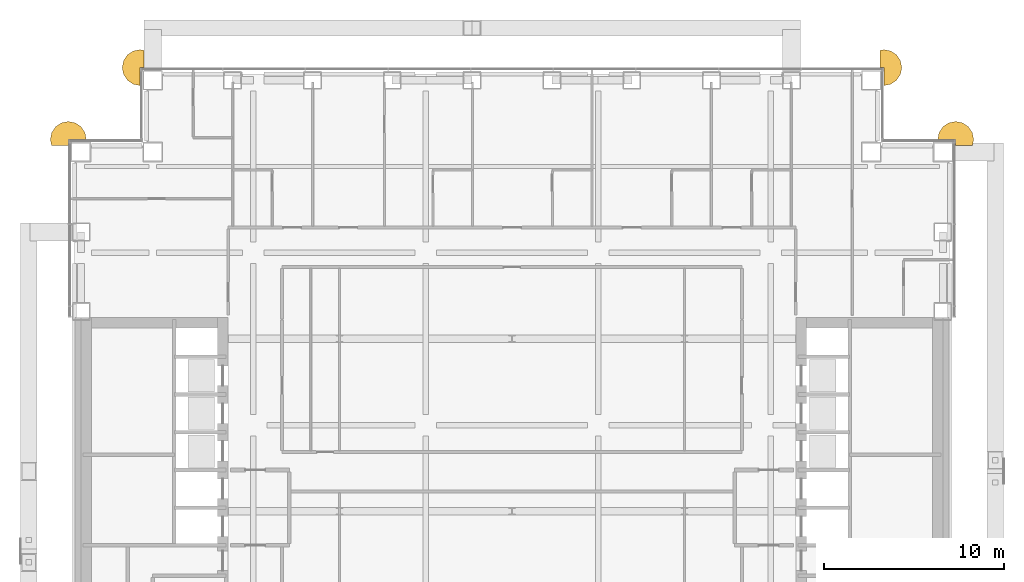
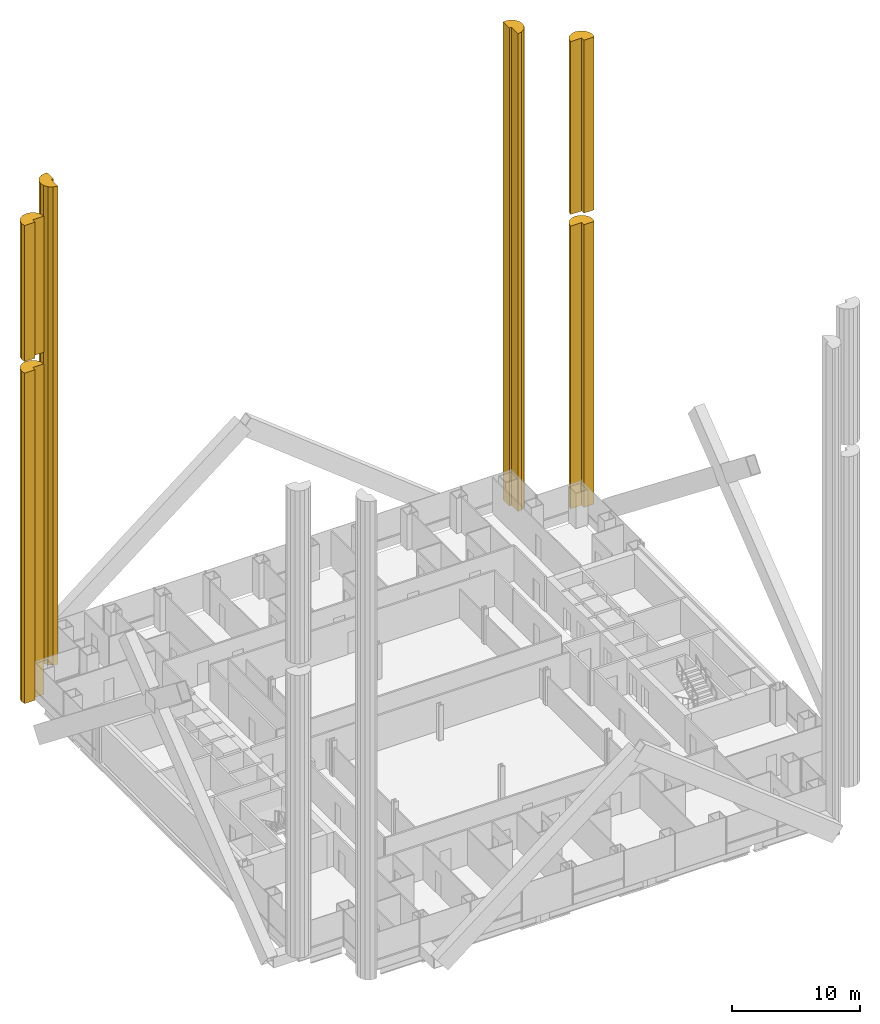
# One storey, part 27 of 28: 6 coverings.
"""IFC4 building model written with IfcOpenShell, lengths in metres."""

import ifcopenshell
import ifcopenshell.guid

model = None  # the IFC model being written
_history = None  # IfcOwnerHistory: only IFC2X3 demands one
_inside = {}  # id of a spatial element -> (the spatial element, [elements in it])
_under = {}  # id of a project, library or spatial element -> (it, [spatial elements below it])
_declared = {}  # id of a project -> (the project, [libraries it declares])
_typed = {}  # id of a type object -> (the type object, [elements of that type])
_made_of = {}  # id of a material, layer set ... -> (it, [elements and type objects made of it])


def new_model(schema):
    """Start an empty IFC model of exactly this schema.

    Asked for "IFC4X3", IfcOpenShell would pick the latest addendum, in which some entities
    have other attributes; the version numbers below select the first issue.
    IFC2X3 requires an IfcOwnerHistory on every rooted entity: one is made here for all.
    """
    global model, _history
    if schema == "IFC4X3":
        model = ifcopenshell.file(schema_version=(4, 3, 0, 0))
    else:
        model = ifcopenshell.file(schema=schema)
    _inside.clear()
    _under.clear()
    _declared.clear()
    _typed.clear()
    _made_of.clear()
    _history = None
    if model.schema == "IFC2X3":
        org = make("IfcOrganization", Name="unknown")
        user = make(
            "IfcPersonAndOrganization",
            ThePerson=make("IfcPerson", FamilyName="unknown"),
            TheOrganization=org,
        )
        app = make(
            "IfcApplication",
            ApplicationDeveloper=org,
            Version="unknown",
            ApplicationFullName="unknown",
            ApplicationIdentifier="unknown",
        )
        _history = make(
            "IfcOwnerHistory",
            OwningUser=user,
            OwningApplication=app,
            ChangeAction="ADDED",
            CreationDate=0,
        )
    return model


def make(cls, **values):
    """One entity of the class cls with the attributes given. An attribute that is None is left unset."""
    return model.create_entity(
        cls, **{name: value for name, value in values.items() if value is not None}
    )


def rooted(cls, **values):
    """An entity with a GlobalId (a new one), such as an element, a storey or a relation."""
    return make(cls, GlobalId=ifcopenshell.guid.new(), OwnerHistory=_history, **values)


def si_unit(unit_type, name, prefix=None):
    """IfcSIUnit, for example si_unit("LENGTHUNIT", "METRE", prefix="MILLI")."""
    return make("IfcSIUnit", UnitType=unit_type, Prefix=prefix, Name=name)


def assignment(units):
    """IfcUnitAssignment: the units of a project."""
    return None if units is None else make("IfcUnitAssignment", Units=units)


def point(xyz):
    """IfcCartesianPoint."""
    return None if xyz is None else make("IfcCartesianPoint", Coordinates=xyz)


def direction(xyz):
    """IfcDirection."""
    return None if xyz is None else make("IfcDirection", DirectionRatios=xyz)


def frame(location, z_axis=None, x_axis=None):
    """IfcAxis2Placement3D, a coordinate frame: its origin and axes. An axis left out is left unset."""
    return make(
        "IfcAxis2Placement3D",
        Location=point(location),
        Axis=direction(z_axis),
        RefDirection=direction(x_axis),
    )


def origin():
    """The frame at (0, 0, 0) with its axes left unset."""
    return frame((0.0, 0.0, 0.0))


def place(relative_to, where):
    """IfcLocalPlacement: puts the frame where relative to a parent placement (None: the world)."""
    return make(
        "IfcLocalPlacement", PlacementRelTo=relative_to, RelativePlacement=where
    )


def context(
    kind, dimensions, precision=None, world=None, true_north=None, identifier=None
):
    """IfcGeometricRepresentationContext, for example the 3D "Model" context."""
    return make(
        "IfcGeometricRepresentationContext",
        ContextIdentifier=identifier,
        ContextType=kind,
        CoordinateSpaceDimension=dimensions,
        Precision=precision,
        WorldCoordinateSystem=world,
        TrueNorth=true_north,
    )


def subcontext(parent, identifier, kind, view, scale=None):
    """IfcGeometricRepresentationSubContext, for example "Body" below "Model"."""
    return make(
        "IfcGeometricRepresentationSubContext",
        ContextIdentifier=identifier,
        ContextType=kind,
        ParentContext=parent,
        TargetScale=scale,
        TargetView=view,
    )


def project(units=None, contexts=None):
    """IfcProject with its units and contexts."""
    return rooted(
        "IfcProject",
        Name="project",
        RepresentationContexts=contexts,
        UnitsInContext=assignment(units),
    )


def spatial(cls, under=None, at=None, **own):
    """A site, building, storey or space (cls), placed at a placement, below another one or the project."""
    s = rooted(cls, ObjectPlacement=at, **own)
    if under is not None:
        _under.setdefault(under.id(), (under, []))[1].append(s)
    return s


def polyline(points):
    """IfcPolyline through the points."""
    return make("IfcPolyline", Points=[point(p) for p in points])


def outline(outer, holes=None, kind="AREA"):
    """IfcArbitraryClosedProfileDef: a profile drawn as a closed curve; with holes, ...WithVoids."""
    if holes is None:
        return make("IfcArbitraryClosedProfileDef", ProfileType=kind, OuterCurve=outer)
    return make(
        "IfcArbitraryProfileDefWithVoids",
        ProfileType=kind,
        OuterCurve=outer,
        InnerCurves=holes,
    )


def extrude(swept, where, along, depth):
    """IfcExtrudedAreaSolid: the profile swept, set in the frame where, extruded along a direction by depth."""
    return make(
        "IfcExtrudedAreaSolid",
        SweptArea=swept,
        Position=where,
        ExtrudedDirection=direction(along),
        Depth=depth,
    )


def shape(context_of_items, identifier, shape_type, items):
    """IfcShapeRepresentation: the items that make up one representation, for example the "Body"."""
    return make(
        "IfcShapeRepresentation",
        ContextOfItems=context_of_items,
        RepresentationIdentifier=identifier,
        RepresentationType=shape_type,
        Items=items,
    )


def material(Name=None, Category=None):
    """IfcMaterial."""
    return make("IfcMaterial", Name=Name, Category=Category)


def made_of(thing, what):
    """Note that an element or type object is made of a material, layer set ...; save() writes the relation."""
    if what is not None:
        _made_of.setdefault(what.id(), (what, []))[1].append(thing)
    return thing


def type_object(cls, material=None, **own):
    """A type object (cls), such as IfcWallType, which elements share."""
    return made_of(rooted(cls, **own), material)


def element(
    cls,
    number,
    at=None,
    inside=None,
    cuts=None,
    type_object=None,
    material=None,
    context=None,
    identifier="Body",
    shape_type=None,
    held_by="IfcProductDefinitionShape",
    body=None,
    shapes=None,
    **own,
):
    """One element of the class cls, such as IfcWall. Its Tag is "e" and its number.

    at: its placement. inside: the storey or other place that contains it. cuts: it is an
    opening in that element (IfcRelVoidsElement). A single representation is given by context,
    identifier, shape_type and body (its items); several are given by shapes. held_by: the class
    of the entity that holds the representations. save() writes the other relations.
    """
    e = rooted(cls, Tag="e%d" % number, ObjectPlacement=at, **own)
    if body is not None:
        shapes = [shape(context, identifier, shape_type, body)]
    if shapes is not None:
        e.Representation = make(held_by, Representations=shapes)
    if inside is not None:
        _inside.setdefault(inside.id(), (inside, []))[1].append(e)
    if cuts is not None:
        rooted(
            "IfcRelVoidsElement", RelatingBuildingElement=cuts, RelatedOpeningElement=e
        )
    if type_object is not None:
        _typed.setdefault(type_object.id(), (type_object, []))[1].append(e)
    return made_of(e, material)


def aggregate(whole, parts):
    """IfcRelAggregates: a whole, such as a stair, and the parts it consists of."""
    return rooted("IfcRelAggregates", RelatingObject=whole, RelatedObjects=parts)


def save(model, path):
    """Write the relations noted so far, then the file.

    IfcRelAggregates (storeys below a building ...), IfcRelContainedInSpatialStructure (elements
    in a storey), IfcRelDefinesByType, IfcRelAssociatesMaterial and IfcRelDeclares: one each for
    every whole, place, type object, material and project.
    """
    for whole, parts in _under.values():
        aggregate(whole, parts)
    for where, things in _inside.values():
        rooted(
            "IfcRelContainedInSpatialStructure",
            RelatedElements=things,
            RelatingStructure=where,
        )
    for kind, things in _typed.values():
        rooted("IfcRelDefinesByType", RelatedObjects=things, RelatingType=kind)
    for what, things in _made_of.values():
        rooted("IfcRelAssociatesMaterial", RelatedObjects=things, RelatingMaterial=what)
    for by, libraries in _declared.values():
        rooted("IfcRelDeclares", RelatingContext=by, RelatedDefinitions=libraries)
    model.write(path)


model = new_model("IFC4")

# Units and contexts
model_context = context("Model", 3, precision=1e-05, world=origin(), true_north=direction((0.0, 1.0)))
body_context = subcontext(model_context, "Body", "Model", "MODEL_VIEW")
ifc_project = project(units=[si_unit("LENGTHUNIT", "METRE"), si_unit("AREAUNIT", "SQUARE_METRE"), si_unit("VOLUMEUNIT", "CUBIC_METRE"), si_unit("PLANEANGLEUNIT", "RADIAN"), si_unit("MASSUNIT", "GRAM", prefix="KILO")], contexts=[model_context])

# Site, building, storey
site_placement = place(None, origin())
site = spatial("IfcSite", under=ifc_project, at=site_placement, CompositionType="ELEMENT")
building_placement = place(site_placement, origin())
building = spatial("IfcBuilding", under=site, at=building_placement, Name="Cobrizo Arcos Hotel Tower", CompositionType="ELEMENT")
storey_placement = place(building_placement, frame((0.0, 0.0, 39.0)))
storey = spatial("IfcBuildingStorey", under=building, at=storey_placement, Name="L07", CompositionType="ELEMENT", Elevation=39.0)

# Coverings
ifc_material = material(Name="Aluminium 6063-T6 anodised pale", Category="aluminium")
covering_type = type_object("IfcCoveringType", Name="RB-2 notch bullnose roll R1000", PredefinedType="CLADDING", material=ifc_material)
covering_1_placement = place(storey_placement, origin())
element("IfcCovering", 1, at=covering_1_placement, inside=storey, type_object=covering_type, Name="Notch bullnose roll 1", PredefinedType="CLADDING", context=body_context, shape_type="SweptSolid", body=[
    extrude(outline(polyline([(21.406982421875, 23.992919921875), (21.623779296875, 24.3173828125), (21.699951171875, 24.699951171875), (21.623779296875, 25.082763671875), (21.406982421875, 25.406982421875), (21.082763671875, 25.623779296875), (20.699951171875, 25.699951171875), (20.5, 25.66015625), (20.5, 24.699951171875), (20.699951171875, 24.699951171875), (20.699951171875, 23.699951171875), (21.082763671875, 23.776123046875), (21.406982421875, 23.992919921875)])), origin(), (0.0, 0.0, 1.0), 45.5),
])
covering_2_placement = place(storey_placement, origin())
element("IfcCovering", 2, at=covering_2_placement, inside=storey, type_object=covering_type, Name="Notch bullnose roll 2", PredefinedType="CLADDING", context=body_context, shape_type="SweptSolid", body=[
    extrude(outline(polyline([(-21.406982421875, 23.992919921875), (-21.082763671875, 23.776123046875), (-20.699951171875, 23.699951171875), (-20.699951171875, 24.699951171875), (-20.5, 24.699951171875), (-20.5, 25.66015625), (-20.699951171875, 25.699951171875), (-21.082763671875, 25.623779296875), (-21.406982421875, 25.406982421875), (-21.623779296875, 25.082763671875), (-21.699951171875, 24.699951171875), (-21.623779296875, 24.3173828125), (-21.406982421875, 23.992919921875)])), origin(), (0.0, 0.0, 1.0), 45.5),
])
covering_3_placement = place(storey_placement, frame((0.0, 0.0, 1.050048828125)))
element("IfcCovering", 3, at=covering_3_placement, inside=storey, type_object=covering_type, Name="Notch bullnose roll 4", PredefinedType="CLADDING", context=body_context, shape_type="SweptSolid", body=[
    extrude(outline(polyline([(23.992919921875, 21.406982421875), (23.776123046875, 21.082763671875), (23.699951171875, 20.699951171875), (24.699951171875, 20.699951171875), (24.699951171875, 20.35009765625), (25.63037109375, 20.35009765625), (25.699951171875, 20.699951171875), (25.623779296875, 21.082763671875), (25.406982421875, 21.406982421875), (25.082763671875, 21.623779296875), (24.699951171875, 21.699951171875), (24.3173828125, 21.623779296875), (23.992919921875, 21.406982421875)])), origin(), (0.0, 0.0, 1.0), 26.89990234375),
])
covering_4_placement = place(storey_placement, frame((0.0, 0.0, 29.050048828125)))
element("IfcCovering", 4, at=covering_4_placement, inside=storey, type_object=covering_type, Name="Notch bullnose roll 4 part 2", PredefinedType="CLADDING", context=body_context, shape_type="SweptSolid", body=[
    extrude(outline(polyline([(23.992919921875, 21.406982421875), (23.776123046875, 21.082763671875), (23.699951171875, 20.699951171875), (24.699951171875, 20.699951171875), (24.699951171875, 20.35009765625), (25.63037109375, 20.35009765625), (25.699951171875, 20.699951171875), (25.623779296875, 21.082763671875), (25.406982421875, 21.406982421875), (25.082763671875, 21.623779296875), (24.699951171875, 21.699951171875), (24.3173828125, 21.623779296875), (23.992919921875, 21.406982421875)])), origin(), (0.0, 0.0, 1.0), 16.449951171875),
])
covering_5_placement = place(storey_placement, origin())
element("IfcCovering", 5, at=covering_5_placement, inside=storey, type_object=covering_type, Name="Notch bullnose roll 7", PredefinedType="CLADDING", context=body_context, shape_type="SweptSolid", body=[
    extrude(outline(polyline([(-23.992919921875, 21.406982421875), (-24.3173828125, 21.623779296875), (-24.699951171875, 21.699951171875), (-25.082763671875, 21.623779296875), (-25.406982421875, 21.406982421875), (-25.623779296875, 21.082763671875), (-25.699951171875, 20.699951171875), (-25.63037109375, 20.35009765625), (-24.699951171875, 20.35009765625), (-24.699951171875, 20.699951171875), (-23.699951171875, 20.699951171875), (-23.776123046875, 21.082763671875), (-23.992919921875, 21.406982421875)])), origin(), (0.0, 0.0, 1.0), 31.449951171875),
])
covering_6_placement = place(storey_placement, frame((0.0, 0.0, 32.550048828125)))
element("IfcCovering", 6, at=covering_6_placement, inside=storey, type_object=covering_type, Name="Notch bullnose roll 7 part 2", PredefinedType="CLADDING", context=body_context, shape_type="SweptSolid", body=[
    extrude(outline(polyline([(-23.992919921875, 21.406982421875), (-24.3173828125, 21.623779296875), (-24.699951171875, 21.699951171875), (-25.082763671875, 21.623779296875), (-25.406982421875, 21.406982421875), (-25.623779296875, 21.082763671875), (-25.699951171875, 20.699951171875), (-25.63037109375, 20.35009765625), (-24.699951171875, 20.35009765625), (-24.699951171875, 20.699951171875), (-23.699951171875, 20.699951171875), (-23.776123046875, 21.082763671875), (-23.992919921875, 21.406982421875)])), origin(), (0.0, 0.0, 1.0), 12.949951171875),
])

save(model, "model.ifc")
